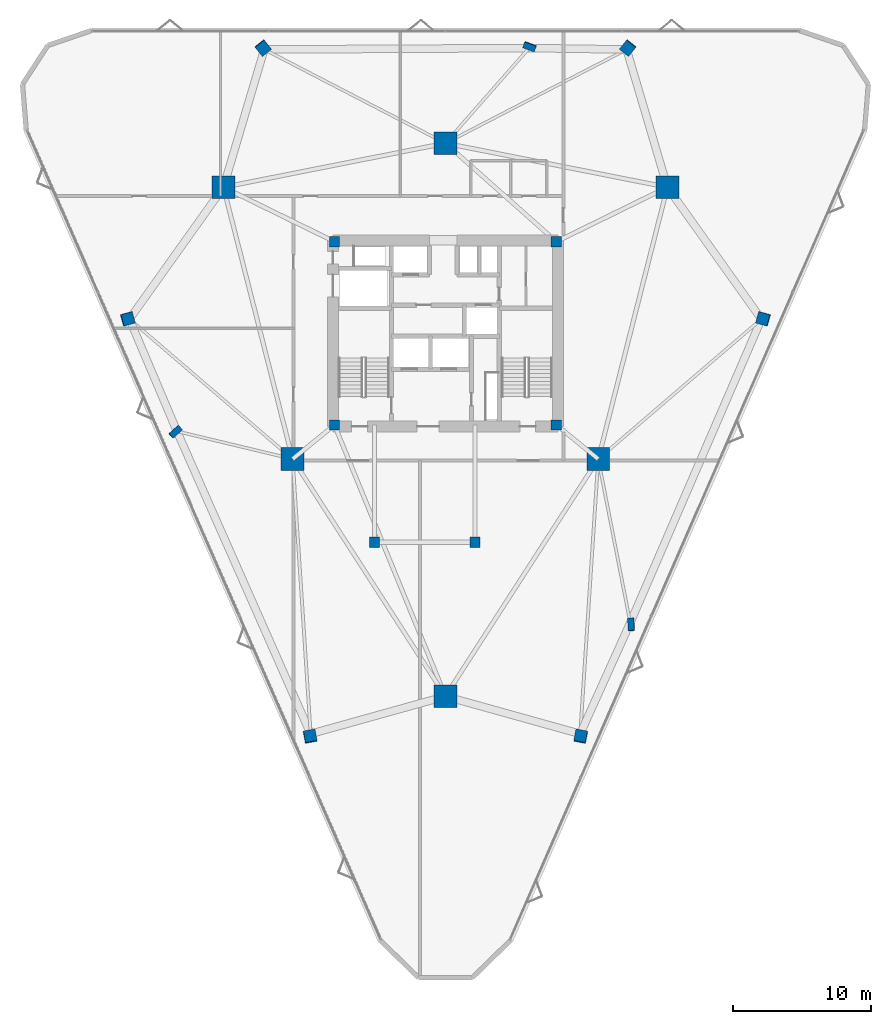
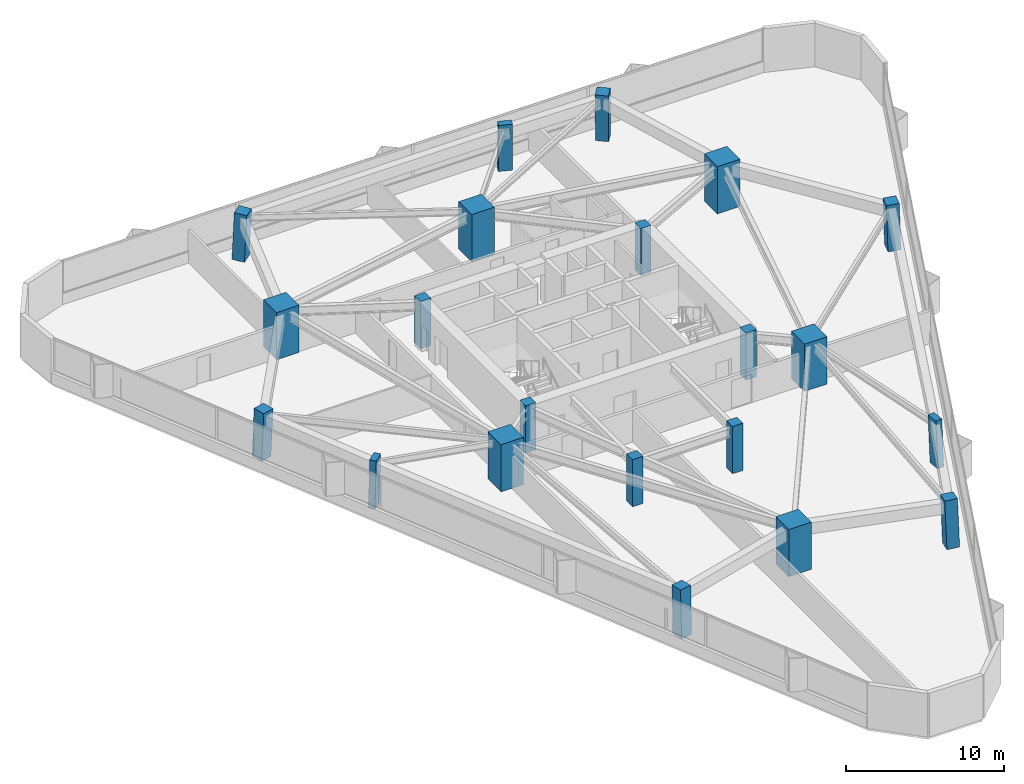
# One storey, part 1 of 16: 21 columns.
"""IFC4 building model written with IfcOpenShell, lengths in metres."""

from ifc_helpers import new_model, si_unit, direction, frame, origin, origin_2d, place, context, subcontext, project, spatial, rectangle, extrude, material, material_profile, profile_set, type_object, element, save


model = new_model("IFC4")

# Units and contexts
model_context = context("Model", 3, precision=1e-05, world=origin(), true_north=direction((0.0, 1.0)))
body_context = subcontext(model_context, "Body", "Model", "MODEL_VIEW")
ifc_project = project(units=[si_unit("LENGTHUNIT", "METRE"), si_unit("AREAUNIT", "SQUARE_METRE"), si_unit("VOLUMEUNIT", "CUBIC_METRE"), si_unit("PLANEANGLEUNIT", "RADIAN"), si_unit("MASSUNIT", "GRAM", prefix="KILO")], contexts=[model_context])

# Site, building, storey
site_placement = place(None, origin())
site = spatial("IfcSite", under=ifc_project, at=site_placement, CompositionType="ELEMENT")
building_placement = place(site_placement, origin())
building = spatial("IfcBuilding", under=site, at=building_placement, Name="Talyreon Biosciences Tower", CompositionType="ELEMENT")
storey_placement = place(building_placement, frame((0.0, 0.0, 107.85009765625)))
storey = spatial("IfcBuildingStorey", under=building, at=storey_placement, Name="L28", CompositionType="ELEMENT", Elevation=107.85009765625)

# Columns
ifc_material_1 = material(Name="Precast concrete C45/55", Category="concrete")
ifc_material_profile_1 = material_profile(ifc_material_1, rectangle(XDim=0.89990234375, YDim=0.449951171875, at=origin_2d()), Name="RC 900x450")
ifc_profile_set_1 = profile_set([ifc_material_profile_1], Name="Precast concrete C45/55")
column_type_1 = type_object("IfcColumnType", Name="FacadePilaster_900x450", PredefinedType="PILASTER", material=ifc_profile_set_1)
column_1_placement = place(storey_placement, frame((79.479736328125, 46.86279296875, 0.0029296875), z_axis=(-0.019612004119, 0.038286915892, 0.999074312234), x_axis=(0.061084058563, -0.997353896758, 0.03942007625)))
element("IfcColumn", 1, at=column_1_placement, inside=storey, type_object=column_type_1, Name="L28 Facade Pilaster PL-SE", PredefinedType="PILASTER", context=body_context, shape_type="SweptSolid", body=[
    extrude(rectangle(XDim=0.89990234375, YDim=0.449951171875, at=origin_2d()), origin(), (0.0, 0.0, 1.0), 3.6474609375),
])
column_2_placement = place(storey_placement, frame((72.11181640625, 88.814453125, 0.0029296875), z_axis=(-0.012453496874, -0.033544096418, 0.99935964698), x_axis=(-0.937477612418, 0.348045580658, 0.0)))
element("IfcColumn", 2, at=column_2_placement, inside=storey, type_object=column_type_1, Name="L28 Facade Pilaster PL-N", PredefinedType="PILASTER", context=body_context, shape_type="SweptSolid", body=[
    extrude(rectangle(XDim=0.89990234375, YDim=0.449951171875, at=origin_2d()), origin(), (0.0, 0.0, 1.0), 3.646484375),
])
column_3_placement = place(storey_placement, frame((46.408447265625, 60.852783203125, 0.0029296875), z_axis=(0.032073389802, 0.01044561338, 0.999430931494), x_axis=(0.74685808895, 0.664264657483, -0.030910512607)))
element("IfcColumn", 3, at=column_3_placement, inside=storey, type_object=column_type_1, Name="L28 Facade Pilaster PL-SW", PredefinedType="PILASTER", context=body_context, shape_type="SweptSolid", body=[
    extrude(rectangle(XDim=0.89990234375, YDim=0.449951171875, at=origin_2d()), origin(), (0.0, 0.0, 1.0), 3.64599609375),
])
ifc_material_2 = material(Name="Concrete C60/75", Category="concrete")
ifc_material_profile_2 = material_profile(ifc_material_2, rectangle(XDim=1.64990234375, YDim=1.64990234375, at=origin_2d()), Name="RC 1650x1650")
ifc_profile_set_2 = profile_set([ifc_material_profile_2], Name="Concrete C60/75")
column_type_2 = type_object("IfcColumnType", Name="MegaColumn_1650", PredefinedType="COLUMN", material=ifc_profile_set_2)
for number, where, z_axis, x_axis, name in (
    (4, (66.0, 41.6669921875, 0.0), (0.0, 0.0, 1.0), (1.0, 0.0, 0.0), "L28 Composite Mega-Column MC1"),
    (5, (82.102294921875, 78.5986328125, 0.0), (0.0, 0.0, 1.0), (1.0, 0.0, 0.0), "L28 Composite Mega-Column MC2"),
    (6, (49.897705078125, 78.5986328125, 0.0), (0.0, 0.0, 1.0), (1.0, 0.0, 0.0), "L28 Composite Mega-Column MC3"),
    (7, (77.086181640625, 58.88037109375, 0.0), (0.0, 0.0, 1.0), (1.0, 0.0, 0.0), "L28 Composite Mega-Column MC4"),
    (8, (66.0, 81.788818359375, 0.0), (0.0, 0.0, 1.0), (1.0, 0.0, 0.0), "L28 Composite Mega-Column MC5"),
    (9, (54.913818359375, 58.88037109375, 0.0), (0.0, 0.0, 1.0), (1.0, 0.0, 0.0), "L28 Composite Mega-Column MC6"),
):
    element("IfcColumn", number, at=place(storey_placement, frame(where, z_axis=z_axis, x_axis=x_axis)), inside=storey, type_object=column_type_2, Name=name, PredefinedType="COLUMN", context=body_context, shape_type="SweptSolid", body=[
        extrude(rectangle(XDim=1.64990234375, YDim=1.64990234375, at=origin_2d()), origin(), (0.0, 0.0, 1.0), 3.64990234375),
    ])
ifc_material_3 = material(Name="Concrete C50/60", Category="concrete")
ifc_material_profile_3 = material_profile(ifc_material_3, rectangle(XDim=0.75, YDim=0.75, at=origin_2d()), Name="RC 750x750")
ifc_profile_set_3 = profile_set([ifc_material_profile_3], Name="Concrete C50/60")
column_type_3 = type_object("IfcColumnType", Name="PerimeterColumn_750", PredefinedType="COLUMN", material=ifc_profile_set_3)
for number, where, z_axis, x_axis, name in (
    (10, (57.949951171875, 61.35009765625, 0.0), (0.0, 0.0, 1.0), (1.0, 0.0, 0.0), "L28 Core Column CC1"),
    (11, (74.050048828125, 61.35009765625, 0.0), (0.0, 0.0, 1.0), (1.0, 0.0, 0.0), "L28 Core Column CC2"),
    (12, (74.050048828125, 74.64990234375, 0.0), (0.0, 0.0, 1.0), (1.0, 0.0, 0.0), "L28 Core Column CC3"),
    (13, (57.949951171875, 74.64990234375, 0.0), (0.0, 0.0, 1.0), (1.0, 0.0, 0.0), "L28 Core Column CC4"),
    (14, (60.85009765625, 52.840087890625, 0.0), (0.0, 0.0, 1.0), (1.0, 0.0, 0.0), "L28 Core Column CSW"),
    (15, (68.14990234375, 52.840087890625, 0.0), (0.0, 0.0, 1.0), (1.0, 0.0, 0.0), "L28 Core Column CSE"),
):
    element("IfcColumn", number, at=place(storey_placement, frame(where, z_axis=z_axis, x_axis=x_axis)), inside=storey, type_object=column_type_3, Name=name, PredefinedType="COLUMN", context=body_context, shape_type="SweptSolid", body=[
        extrude(rectangle(XDim=0.75, YDim=0.75, at=origin_2d()), origin(), (0.0, 0.0, 1.0), 3.64990234375),
    ])
ifc_material_profile_4 = material_profile(ifc_material_2, rectangle(XDim=0.85009765625, YDim=0.85009765625, at=origin_2d()), Name="RC 850x850")
ifc_profile_set_4 = profile_set([ifc_material_profile_4], Name="Concrete C60/75")
column_type_4 = type_object("IfcColumnType", Name="PerimeterColumn_850", PredefinedType="COLUMN", material=ifc_profile_set_4)
column_4_placement = place(storey_placement, frame((75.822998046875, 38.7421875, 0.0029296875), z_axis=(-0.012375141264, 0.054450621561, 0.998439775695), x_axis=(-0.187607892666, -0.980910280133, 0.051169335916)))
element("IfcColumn", 16, at=column_4_placement, inside=storey, type_object=column_type_4, Name="L28 Tapering Perimeter Column PC-SE1", PredefinedType="COLUMN", context=body_context, shape_type="SweptSolid", body=[
    extrude(rectangle(XDim=0.85009765625, YDim=0.85009765625, at=origin_2d()), origin(), (0.0, 0.0, 1.0), 3.649658203125),
])
column_5_placement = place(storey_placement, frame((89.06494140625, 69.053466796875, 0.0029296875), z_axis=(-0.039229478374, -0.005757227202, 0.999213642001), x_axis=(0.964074349245, -0.263135908119, 0.036333771979)))
element("IfcColumn", 17, at=column_5_placement, inside=storey, type_object=column_type_4, Name="L28 Tapering Perimeter Column PC-SE2", PredefinedType="COLUMN", context=body_context, shape_type="SweptSolid", body=[
    extrude(rectangle(XDim=0.85009765625, YDim=0.85009765625, at=origin_2d()), origin(), (0.0, 0.0, 1.0), 3.64697265625),
])
for number, where, z_axis, x_axis, name in (
    (18, (79.241943359375, 88.71435546875, 0.0029296875), (-0.026841076243, -0.033534611465, 0.999077067328), (-0.780716755404, 0.624885067698, 0.0), "L28 Tapering Perimeter Column PC-N1"),
    (19, (52.758056640625, 88.71435546875, 0.0029296875), (0.026841076243, -0.033534611465, 0.999077067328), (-0.780716755404, -0.624885067698, 0.0), "L28 Tapering Perimeter Column PC-N2"),
):
    element("IfcColumn", number, at=place(storey_placement, frame(where, z_axis=z_axis, x_axis=x_axis)), inside=storey, type_object=column_type_4, Name=name, PredefinedType="COLUMN", context=body_context, shape_type="SweptSolid", body=[
        extrude(rectangle(XDim=0.85009765625, YDim=0.85009765625, at=origin_2d()), origin(), (0.0, 0.0, 1.0), 3.6474609375),
    ])
column_6_placement = place(storey_placement, frame((42.93505859375, 69.053466796875, 0.0029296875), z_axis=(0.039229478374, -0.005757227202, 0.999213642001), x_axis=(0.964074349245, 0.263135908119, -0.036333771979)))
element("IfcColumn", 20, at=column_6_placement, inside=storey, type_object=column_type_4, Name="L28 Tapering Perimeter Column PC-SW1", PredefinedType="COLUMN", context=body_context, shape_type="SweptSolid", body=[
    extrude(rectangle(XDim=0.85009765625, YDim=0.85009765625, at=origin_2d()), origin(), (0.0, 0.0, 1.0), 3.64697265625),
])
column_7_placement = place(storey_placement, frame((56.177001953125, 38.7421875, 0.0029296875), z_axis=(0.012375141264, 0.054450621561, 0.998439775695), x_axis=(-0.187607892666, 0.980910280133, -0.051169335916)))
element("IfcColumn", 21, at=column_7_placement, inside=storey, type_object=column_type_4, Name="L28 Tapering Perimeter Column PC-SW2", PredefinedType="COLUMN", context=body_context, shape_type="SweptSolid", body=[
    extrude(rectangle(XDim=0.85009765625, YDim=0.85009765625, at=origin_2d()), origin(), (0.0, 0.0, 1.0), 3.649658203125),
])

save(model, "model.ifc")
